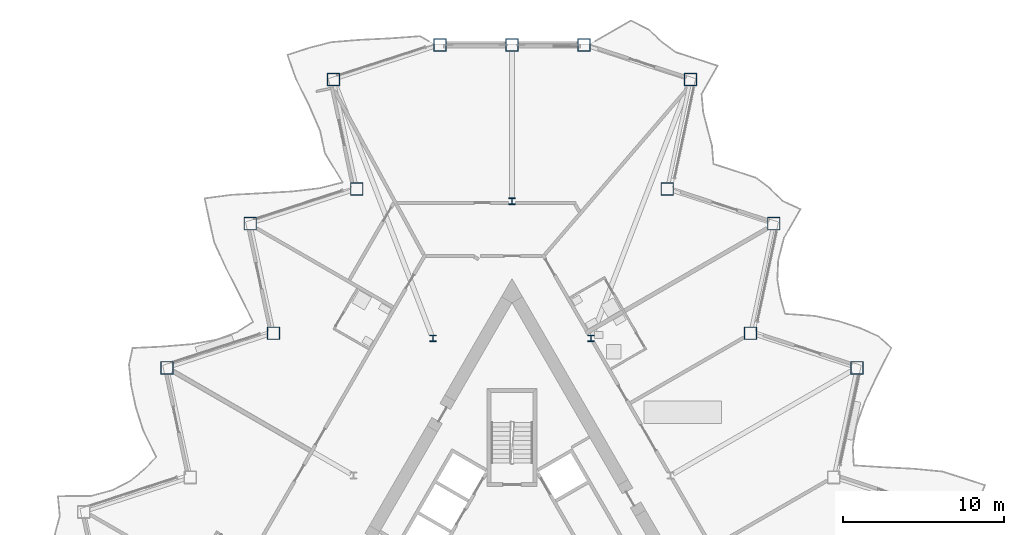
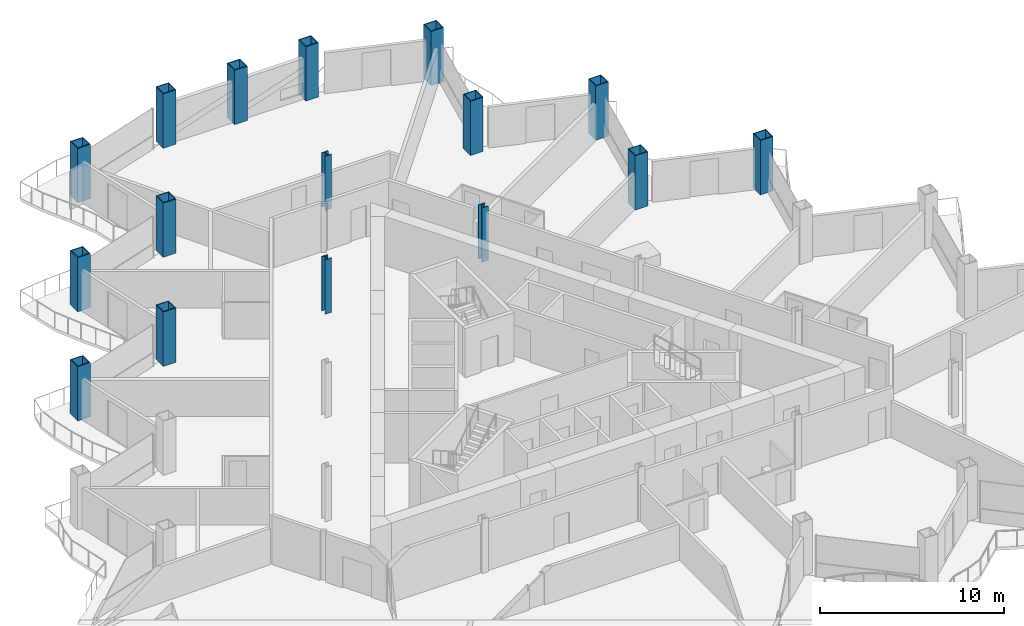
# One storey, part 2 of 22: 16 columns.
"""IFC4 building model written with IfcOpenShell, lengths in metres."""

from ifc_helpers import new_model, si_unit, direction, frame, origin, origin_2d, place, context, subcontext, project, spatial, hollow_rectangle, i_section, extrude, material, material_profile, profile_set, type_object, element, save


model = new_model("IFC4")

# Units and contexts
model_context = context("Model", 3, precision=1e-05, world=origin(), true_north=direction((0.0, 1.0)))
body_context = subcontext(model_context, "Body", "Model", "MODEL_VIEW")
ifc_project = project(units=[si_unit("LENGTHUNIT", "METRE"), si_unit("AREAUNIT", "SQUARE_METRE"), si_unit("VOLUMEUNIT", "CUBIC_METRE"), si_unit("PLANEANGLEUNIT", "RADIAN"), si_unit("MASSUNIT", "GRAM", prefix="KILO")], contexts=[model_context])

# Site, building, storey
site_placement = place(None, origin())
site = spatial("IfcSite", under=ifc_project, at=site_placement, CompositionType="ELEMENT")
building_placement = place(site_placement, origin())
building = spatial("IfcBuilding", under=site, at=building_placement, Name="Cormorant Prow Tower", CompositionType="ELEMENT")
storey_placement = place(building_placement, frame((0.0, 0.0, 198.0)))
storey = spatial("IfcBuildingStorey", under=building, at=storey_placement, Name="L43", CompositionType="ELEMENT", Elevation=198.0)

# Columns
ifc_material_1 = material(Name="Structural steel ASTM A572 Gr 50", Category="steel")
ifc_material_profile_1 = material_profile(ifc_material_1, hollow_rectangle(XDim=0.800048828125, YDim=0.800048828125, WallThickness=0.050048828125, at=origin_2d()), Name="Box 800x800x50")
ifc_profile_set_1 = profile_set([ifc_material_profile_1], Name="Structural steel ASTM A572 Gr 50")
column_type_1 = type_object("IfcColumnType", Name="Perimeter box column 800x800x50", PredefinedType="COLUMN", material=ifc_profile_set_1)
for number, where, z_axis, x_axis, name in (
    (1, (21.409423828125, 12.36083984375, 0.0), (0.0, 0.0, 1.0), (1.0, 0.0, 0.0), "Perimeter column C4 at ENE05 L43"),
    (2, (14.7998046875, 14.50830078125, 0.0), (0.0, 0.0, 1.0), (1.0, 0.0, 0.0), "Perimeter column C4 at ENE06 L43"),
    (3, (16.244873046875, 21.306396484375, 0.0), (0.0, 0.0, 1.0), (1.0, 0.0, 0.0), "Perimeter column C4 at ENE07 L43"),
    (4, (9.63525390625, 23.453857421875, 0.0), (0.0, 0.0, 1.0), (1.0, 0.0, 0.0), "Perimeter column C4 at ENE08 L43"),
    (5, (11.080078125, 30.251953125, 0.0), (0.0, 0.0, 1.0), (1.0, 0.0, 0.0), "Perimeter column C4 at ENE09 L43"),
    (6, (4.470458984375, 32.3994140625, 0.0), (0.0, 0.0, 1.0), (1.0, 0.0, 0.0), "Perimeter column C4 at N00 L43"),
    (7, (0.0, 32.3994140625, 0.0), (0.0, 0.0, 1.0), (1.0, 0.0, 0.0), "Perimeter column C4 at N01 L43"),
    (8, (-4.470458984375, 32.3994140625, 0.0), (0.0, 0.0, 1.0), (1.0, 0.0, 0.0), "Perimeter column C4 at WNW00 L43"),
    (9, (-11.080078125, 30.251953125, 0.0), (0.0, 0.0, 1.0), (1.0, 0.0, 0.0), "Perimeter column C4 at WNW01 L43"),
    (10, (-9.63525390625, 23.453857421875, 0.0), (0.0, 0.0, 1.0), (1.0, 0.0, 0.0), "Perimeter column C4 at WNW02 L43"),
    (11, (-16.244873046875, 21.306396484375, 0.0), (0.0, 0.0, 1.0), (1.0, 0.0, 0.0), "Perimeter column C4 at WNW03 L43"),
    (12, (-14.7998046875, 14.50830078125, 0.0), (0.0, 0.0, 1.0), (1.0, 0.0, 0.0), "Perimeter column C4 at WNW04 L43"),
    (13, (-21.409423828125, 12.36083984375, 0.0), (0.0, 0.0, 1.0), (1.0, 0.0, 0.0), "Perimeter column C4 at WNW05 L43"),
):
    element("IfcColumn", number, at=place(storey_placement, frame(where, z_axis=z_axis, x_axis=x_axis)), inside=storey, type_object=column_type_1, Name=name, PredefinedType="COLUMN", context=body_context, shape_type="SweptSolid", body=[
        extrude(hollow_rectangle(XDim=0.800048828125, YDim=0.800048828125, WallThickness=0.050048828125, at=origin_2d()), origin(), (0.0, 0.0, 1.0), 3.60009765625),
    ])
ifc_material_2 = material(Name="Structural steel ASTM A992 Gr 50", Category="steel")
ifc_material_profile_2 = material_profile(ifc_material_2, i_section(OverallWidth=0.403564453125, OverallDepth=0.407470703125, WebThickness=0.027099609375, FlangeThickness=0.043701171875, at=origin_2d()), Name="W14x233")
ifc_profile_set_2 = profile_set([ifc_material_profile_2], Name="Structural steel ASTM A992 Gr 50")
column_type_2 = type_object("IfcColumnType", Name="Ring column W14x233", PredefinedType="COLUMN", material=ifc_profile_set_2)
for number, where, z_axis, x_axis, name in (
    (14, (0.0, 22.69775390625, 0.0), (0.0, 0.0, 1.0), (1.0, 0.0, 0.0), "Ring column 1 L43"),
    (15, (-4.914306640625, 14.186279296875, 0.0), (0.0, 0.0, 1.0), (1.0, 0.0, 0.0), "Ring column 2 L43"),
    (16, (4.914306640625, 14.186279296875, 0.0), (0.0, 0.0, 1.0), (1.0, 0.0, 0.0), "Ring column 12 L43"),
):
    element("IfcColumn", number, at=place(storey_placement, frame(where, z_axis=z_axis, x_axis=x_axis)), inside=storey, type_object=column_type_2, Name=name, PredefinedType="COLUMN", context=body_context, shape_type="SweptSolid", body=[
        extrude(i_section(OverallWidth=0.403564453125, OverallDepth=0.407470703125, WebThickness=0.027099609375, FlangeThickness=0.043701171875, at=origin_2d()), origin(), (0.0, 0.0, 1.0), 3.60009765625),
    ])

save(model, "model.ifc")
